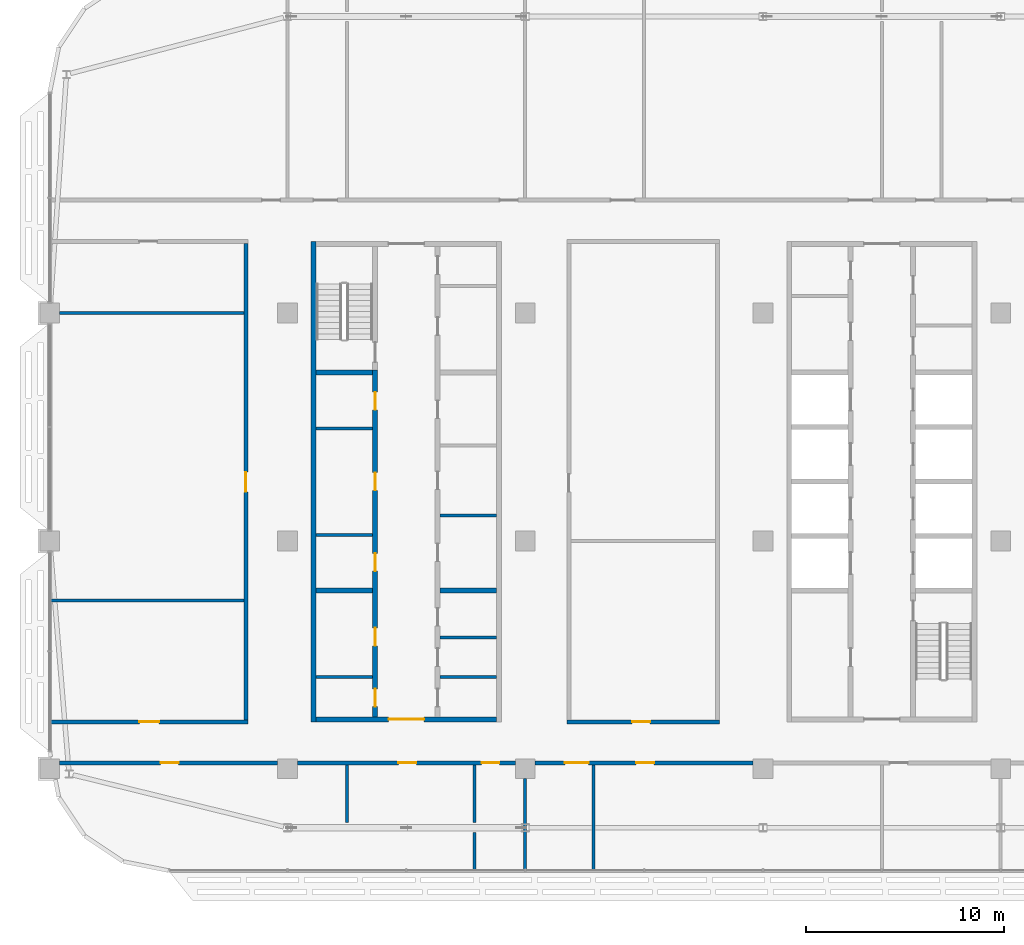
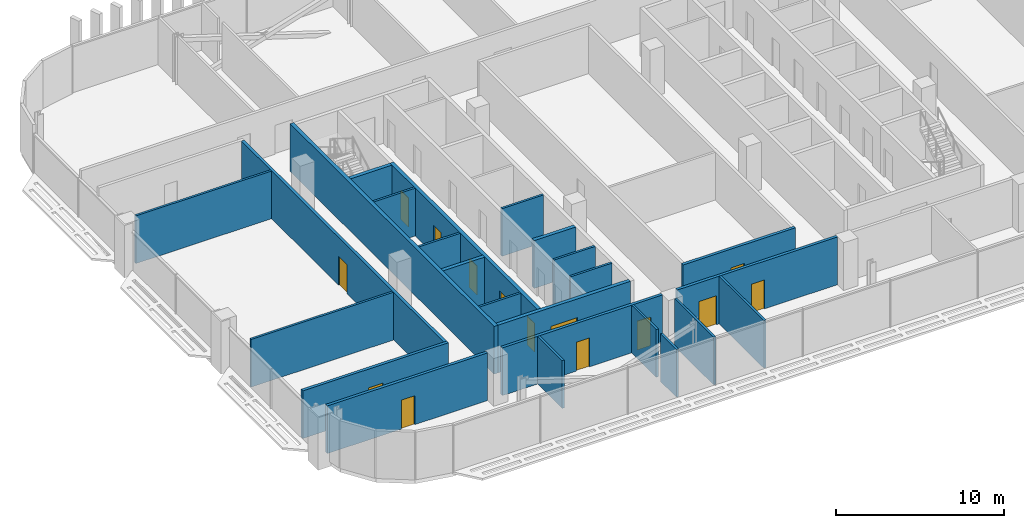
# One storey, part 17 of 32: 25 walls, 14 doors, 14 openings.
"""IFC4 building model written with IfcOpenShell, lengths in metres."""

import ifcopenshell
import ifcopenshell.guid

model = None  # the IFC model being written
_history = None  # IfcOwnerHistory: only IFC2X3 demands one
_inside = {}  # id of a spatial element -> (the spatial element, [elements in it])
_under = {}  # id of a project, library or spatial element -> (it, [spatial elements below it])
_declared = {}  # id of a project -> (the project, [libraries it declares])
_typed = {}  # id of a type object -> (the type object, [elements of that type])
_made_of = {}  # id of a material, layer set ... -> (it, [elements and type objects made of it])


def new_model(schema):
    """Start an empty IFC model of exactly this schema.

    Asked for "IFC4X3", IfcOpenShell would pick the latest addendum, in which some entities
    have other attributes; the version numbers below select the first issue.
    IFC2X3 requires an IfcOwnerHistory on every rooted entity: one is made here for all.
    """
    global model, _history
    if schema == "IFC4X3":
        model = ifcopenshell.file(schema_version=(4, 3, 0, 0))
    else:
        model = ifcopenshell.file(schema=schema)
    _inside.clear()
    _under.clear()
    _declared.clear()
    _typed.clear()
    _made_of.clear()
    _history = None
    if model.schema == "IFC2X3":
        org = make("IfcOrganization", Name="unknown")
        user = make(
            "IfcPersonAndOrganization",
            ThePerson=make("IfcPerson", FamilyName="unknown"),
            TheOrganization=org,
        )
        app = make(
            "IfcApplication",
            ApplicationDeveloper=org,
            Version="unknown",
            ApplicationFullName="unknown",
            ApplicationIdentifier="unknown",
        )
        _history = make(
            "IfcOwnerHistory",
            OwningUser=user,
            OwningApplication=app,
            ChangeAction="ADDED",
            CreationDate=0,
        )
    return model


def make(cls, **values):
    """One entity of the class cls with the attributes given. An attribute that is None is left unset."""
    return model.create_entity(
        cls, **{name: value for name, value in values.items() if value is not None}
    )


def rooted(cls, **values):
    """An entity with a GlobalId (a new one), such as an element, a storey or a relation."""
    return make(cls, GlobalId=ifcopenshell.guid.new(), OwnerHistory=_history, **values)


def si_unit(unit_type, name, prefix=None):
    """IfcSIUnit, for example si_unit("LENGTHUNIT", "METRE", prefix="MILLI")."""
    return make("IfcSIUnit", UnitType=unit_type, Prefix=prefix, Name=name)


def assignment(units):
    """IfcUnitAssignment: the units of a project."""
    return None if units is None else make("IfcUnitAssignment", Units=units)


def point(xyz):
    """IfcCartesianPoint."""
    return None if xyz is None else make("IfcCartesianPoint", Coordinates=xyz)


def direction(xyz):
    """IfcDirection."""
    return None if xyz is None else make("IfcDirection", DirectionRatios=xyz)


def frame(location, z_axis=None, x_axis=None):
    """IfcAxis2Placement3D, a coordinate frame: its origin and axes. An axis left out is left unset."""
    return make(
        "IfcAxis2Placement3D",
        Location=point(location),
        Axis=direction(z_axis),
        RefDirection=direction(x_axis),
    )


def frame_2d(location, x_axis=None):
    """IfcAxis2Placement2D, a coordinate frame in the plane: its origin and x axis."""
    return make(
        "IfcAxis2Placement2D", Location=point(location), RefDirection=direction(x_axis)
    )


def origin():
    """The frame at (0, 0, 0) with its axes left unset."""
    return frame((0.0, 0.0, 0.0))


def place(relative_to, where):
    """IfcLocalPlacement: puts the frame where relative to a parent placement (None: the world)."""
    return make(
        "IfcLocalPlacement", PlacementRelTo=relative_to, RelativePlacement=where
    )


def context(
    kind, dimensions, precision=None, world=None, true_north=None, identifier=None
):
    """IfcGeometricRepresentationContext, for example the 3D "Model" context."""
    return make(
        "IfcGeometricRepresentationContext",
        ContextIdentifier=identifier,
        ContextType=kind,
        CoordinateSpaceDimension=dimensions,
        Precision=precision,
        WorldCoordinateSystem=world,
        TrueNorth=true_north,
    )


def subcontext(parent, identifier, kind, view, scale=None):
    """IfcGeometricRepresentationSubContext, for example "Body" below "Model"."""
    return make(
        "IfcGeometricRepresentationSubContext",
        ContextIdentifier=identifier,
        ContextType=kind,
        ParentContext=parent,
        TargetScale=scale,
        TargetView=view,
    )


def project(units=None, contexts=None):
    """IfcProject with its units and contexts."""
    return rooted(
        "IfcProject",
        Name="project",
        RepresentationContexts=contexts,
        UnitsInContext=assignment(units),
    )


def spatial(cls, under=None, at=None, **own):
    """A site, building, storey or space (cls), placed at a placement, below another one or the project."""
    s = rooted(cls, ObjectPlacement=at, **own)
    if under is not None:
        _under.setdefault(under.id(), (under, []))[1].append(s)
    return s


def profile(cls, at=None, kind="AREA", **sizes):
    """A parametric profile (cls). Its sizes go by their IFC names, for example OverallWidth=200.0."""
    return make(cls, ProfileType=kind, Position=at, **sizes)


def rectangle(**sizes):
    """IfcRectangleProfileDef."""
    return profile("IfcRectangleProfileDef", **sizes)


def extrude(swept, where, along, depth):
    """IfcExtrudedAreaSolid: the profile swept, set in the frame where, extruded along a direction by depth."""
    return make(
        "IfcExtrudedAreaSolid",
        SweptArea=swept,
        Position=where,
        ExtrudedDirection=direction(along),
        Depth=depth,
    )


def shape(context_of_items, identifier, shape_type, items):
    """IfcShapeRepresentation: the items that make up one representation, for example the "Body"."""
    return make(
        "IfcShapeRepresentation",
        ContextOfItems=context_of_items,
        RepresentationIdentifier=identifier,
        RepresentationType=shape_type,
        Items=items,
    )


def material(Name=None, Category=None):
    """IfcMaterial."""
    return make("IfcMaterial", Name=Name, Category=Category)


def layer(
    of_material, thickness, ventilated=None, Name=None, Category=None, Priority=None
):
    """IfcMaterialLayer: one layer of a wall or slab, of a material (None: an air gap)."""
    return make(
        "IfcMaterialLayer",
        Material=of_material,
        LayerThickness=thickness,
        IsVentilated=ventilated,
        Name=Name,
        Category=Category,
        Priority=Priority,
    )


def layer_set(layers, Name=None):
    """IfcMaterialLayerSet."""
    return make("IfcMaterialLayerSet", MaterialLayers=layers, LayerSetName=Name)


def made_of(thing, what):
    """Note that an element or type object is made of a material, layer set ...; save() writes the relation."""
    if what is not None:
        _made_of.setdefault(what.id(), (what, []))[1].append(thing)
    return thing


def type_object(cls, material=None, **own):
    """A type object (cls), such as IfcWallType, which elements share."""
    return made_of(rooted(cls, **own), material)


def element(
    cls,
    number,
    at=None,
    inside=None,
    cuts=None,
    type_object=None,
    material=None,
    context=None,
    identifier="Body",
    shape_type=None,
    held_by="IfcProductDefinitionShape",
    body=None,
    shapes=None,
    **own,
):
    """One element of the class cls, such as IfcWall. Its Tag is "e" and its number.

    at: its placement. inside: the storey or other place that contains it. cuts: it is an
    opening in that element (IfcRelVoidsElement). A single representation is given by context,
    identifier, shape_type and body (its items); several are given by shapes. held_by: the class
    of the entity that holds the representations. save() writes the other relations.
    """
    e = rooted(cls, Tag="e%d" % number, ObjectPlacement=at, **own)
    if body is not None:
        shapes = [shape(context, identifier, shape_type, body)]
    if shapes is not None:
        e.Representation = make(held_by, Representations=shapes)
    if inside is not None:
        _inside.setdefault(inside.id(), (inside, []))[1].append(e)
    if cuts is not None:
        rooted(
            "IfcRelVoidsElement", RelatingBuildingElement=cuts, RelatedOpeningElement=e
        )
    if type_object is not None:
        _typed.setdefault(type_object.id(), (type_object, []))[1].append(e)
    return made_of(e, material)


def fill(opening, filler):
    """IfcRelFillsElement: the door or window that sits in an opening."""
    return rooted(
        "IfcRelFillsElement",
        RelatingOpeningElement=opening,
        RelatedBuildingElement=filler,
    )


def aggregate(whole, parts):
    """IfcRelAggregates: a whole, such as a stair, and the parts it consists of."""
    return rooted("IfcRelAggregates", RelatingObject=whole, RelatedObjects=parts)


def save(model, path):
    """Write the relations noted so far, then the file.

    IfcRelAggregates (storeys below a building ...), IfcRelContainedInSpatialStructure (elements
    in a storey), IfcRelDefinesByType, IfcRelAssociatesMaterial and IfcRelDeclares: one each for
    every whole, place, type object, material and project.
    """
    for whole, parts in _under.values():
        aggregate(whole, parts)
    for where, things in _inside.values():
        rooted(
            "IfcRelContainedInSpatialStructure",
            RelatedElements=things,
            RelatingStructure=where,
        )
    for kind, things in _typed.values():
        rooted("IfcRelDefinesByType", RelatedObjects=things, RelatingType=kind)
    for what, things in _made_of.values():
        rooted("IfcRelAssociatesMaterial", RelatedObjects=things, RelatingMaterial=what)
    for by, libraries in _declared.values():
        rooted("IfcRelDeclares", RelatingContext=by, RelatedDefinitions=libraries)
    model.write(path)


model = new_model("IFC4")

# Units and contexts
model_context = context("Model", 3, precision=1e-05, world=origin(), true_north=direction((0.0, 1.0)))
body_context = subcontext(model_context, "Body", "Model", "MODEL_VIEW")
ifc_project = project(units=[si_unit("LENGTHUNIT", "METRE"), si_unit("AREAUNIT", "SQUARE_METRE"), si_unit("VOLUMEUNIT", "CUBIC_METRE"), si_unit("PLANEANGLEUNIT", "RADIAN"), si_unit("MASSUNIT", "GRAM", prefix="KILO")], contexts=[model_context])

# Site, building, storey
site_placement = place(None, origin())
site = spatial("IfcSite", under=ifc_project, at=site_placement, CompositionType="ELEMENT")
building_placement = place(site_placement, origin())
building = spatial("IfcBuilding", under=site, at=building_placement, Name="Mahtab Terrace Research Tower", CompositionType="ELEMENT")
storey_placement = place(building_placement, frame((0.0, 0.0, 232.39990234375)))
storey = spatial("IfcBuildingStorey", under=building, at=storey_placement, Name="L56", CompositionType="ELEMENT", Elevation=232.39990234375)

# Walls
ifc_material_1 = material(Name="Gypsum board partition")
ifc_layer_1 = layer(ifc_material_1, 0.14990234375)
ifc_layer_set_1 = layer_set([ifc_layer_1], Name="Core partition 150")
wall_type_1 = type_object("IfcWallType", Name="Core partition 150", PredefinedType="PARTITIONING", material=ifc_layer_set_1)
for number, where, z_axis, x_axis, name in (
    (1, (-28.550048828125, 0.3125, 0.0), (0.0, 0.0, 1.0), (1.0, 0.0, 0.0), "Core wall A pWL-269"),
    (2, (-28.550048828125, 5.6875, 0.0), (0.0, 0.0, 1.0), (1.0, 0.0, 0.0), "Core wall A pWL269"),
    (3, (-22.300048828125, 1.280029296875, 0.0), (0.0, 0.0, 1.0), (1.0, 0.0, 0.0), "Core wall A pEL-172"),
    (4, (-28.550048828125, -6.875, 0.0), (0.0, 0.0, 1.0), (1.0, 0.0, 0.0), "Core wall A pWS-988"),
    (5, (-22.300048828125, -6.875, 0.0), (0.0, 0.0, 1.0), (1.0, 0.0, 0.0), "Core wall A pES-988"),
    (6, (-22.300048828125, -4.875, 0.0), (0.0, 0.0, 1.0), (1.0, 0.0, 0.0), "Core wall A pES-788"),
):
    element("IfcWall", number, at=place(storey_placement, frame(where, z_axis=z_axis, x_axis=x_axis)), inside=storey, type_object=wall_type_1, Name=name, PredefinedType="PARTITIONING", context=body_context, shape_type="SweptSolid", body=[
        extrude(rectangle(XDim=2.85009765625, YDim=0.14990234375, at=frame_2d((1.425048828125, 0.0))), origin(), (0.0, 0.0, 1.0), 3.460205078125),
    ])
ifc_material_2 = material(Name="Concrete C70/85", Category="concrete")
ifc_layer_2 = layer(ifc_material_2, 0.25)
ifc_layer_set_2 = layer_set([ifc_layer_2], Name="Core wall 250")
wall_type_2 = type_object("IfcWallType", Name="Core wall 250", PredefinedType="SOLIDWALL", material=ifc_layer_set_2)
wall_1_placement = place(storey_placement, frame((-28.675048828125, 15.125, 0.0), z_axis=(0.0, 0.0, 1.0), x_axis=(0.0, -1.0, 0.0)))
element("IfcWall", 7, at=wall_1_placement, inside=storey, type_object=wall_type_2, Name="Core wall A outerW", PredefinedType="SOLIDWALL", context=body_context, shape_type="SweptSolid", body=[
    extrude(rectangle(XDim=24.25, YDim=0.25, at=frame_2d((12.125, 0.0))), origin(), (0.0, 0.0, 1.0), 3.460205078125),
])

# Wall, opening, door
wall_2_placement = place(storey_placement, frame((-19.449951171875, -9.0, 0.0), z_axis=(0.0, 0.0, 1.0), x_axis=(-1.0, 0.0, 0.0)))
wall_2 = element("IfcWall", 8, at=wall_2_placement, inside=storey, type_object=wall_type_2, Name="Core wall A endS", PredefinedType="SOLIDWALL", context=body_context, shape_type="SweptSolid", body=[
    extrude(rectangle(XDim=9.10009765625, YDim=0.25, at=frame_2d((4.550048828125, 0.0))), origin(), (0.0, 0.0, 1.0), 3.460205078125),
])
opening_1_placement = place(wall_2_placement, frame((3.64990234375, 0.0, 0.0)))
opening_1 = element("IfcOpeningElement", 9, at=opening_1_placement, cuts=wall_2, Name="Opening A-S1", PredefinedType="OPENING", context=body_context, shape_type="SweptSolid", body=[
    extrude(rectangle(XDim=1.800048828125, YDim=2.10009765625, at=frame_2d((0.89990234375, 1.050048828125))), frame((0.0, 0.135009765625, 0.0), z_axis=(0.0, -1.0, 0.0), x_axis=(1.0, 0.0, 0.0)), (0.0, 0.0, 1.0), 0.27001953125),
])
ifc_material_3 = material(Name="Steel fire door", Category="steel")
door_type_1 = type_object("IfcDoorType", Name="Lobby double door 1800x2100 1 HR", OperationType="DOUBLE_DOOR_SINGLE_SWING", PredefinedType="DOOR", material=ifc_material_3)
door_1_placement = place(opening_1_placement, origin())
door_1 = element("IfcDoor", 10, at=door_1_placement, inside=storey, type_object=door_type_1, Name="Core entrance door A S", OperationType="DOUBLE_DOOR_SINGLE_SWING", OverallHeight=2.10009765625, OverallWidth=1.800048828125, PredefinedType="DOOR", context=body_context, shape_type="SweptSolid", body=[
    extrude(rectangle(XDim=1.800048828125, YDim=2.10009765625, at=frame_2d((0.89990234375, 1.050048828125))), frame((0.0, 0.02490234375, 0.0), z_axis=(0.0, -1.0, 0.0), x_axis=(1.0, 0.0, 0.0)), (0.0, 0.0, 1.0), 0.050048828125),
])
fill(opening_1, door_1)

# Wall, openings, doors
wall_3_placement = place(storey_placement, frame((-25.574951171875, -8.875, 0.0), z_axis=(0.0, 0.0, 1.0), x_axis=(0.0, 1.0, 0.0)))
wall_3 = element("IfcWall", 11, at=wall_3_placement, inside=storey, type_object=wall_type_2, Name="Core wall A innerWSL", PredefinedType="SOLIDWALL", context=body_context, shape_type="SweptSolid", body=[
    extrude(rectangle(XDim=17.5, YDim=0.25, at=frame_2d((8.75, 0.0))), origin(), (0.0, 0.0, 1.0), 3.460205078125),
])
opening_2_placement = place(wall_3_placement, frame((7.356201171875, 0.0, 0.0)))
opening_2 = element("IfcOpeningElement", 12, at=opening_2_placement, cuts=wall_3, Name="Opening A-R1", PredefinedType="OPENING", context=body_context, shape_type="SweptSolid", body=[
    extrude(rectangle(XDim=0.89990234375, YDim=2.10009765625, at=frame_2d((0.449951171875, 1.050048828125))), frame((0.0, 0.135009765625, 0.0), z_axis=(0.0, -1.0, 0.0), x_axis=(1.0, 0.0, 0.0)), (0.0, 0.0, 1.0), 0.27001953125),
])
opening_3_placement = place(wall_3_placement, frame((11.425048828125, 0.0, 0.0)))
opening_3 = element("IfcOpeningElement", 13, at=opening_3_placement, cuts=wall_3, Name="Opening A-R2", PredefinedType="OPENING", context=body_context, shape_type="SweptSolid", body=[
    extrude(rectangle(XDim=0.89990234375, YDim=2.10009765625, at=frame_2d((0.449951171875, 1.050048828125))), frame((0.0, 0.135009765625, 0.0), z_axis=(0.0, -1.0, 0.0), x_axis=(1.0, 0.0, 0.0)), (0.0, 0.0, 1.0), 0.27001953125),
])
opening_4_placement = place(wall_3_placement, frame((15.493896484375, 0.0, 0.0)))
opening_4 = element("IfcOpeningElement", 14, at=opening_4_placement, cuts=wall_3, Name="Opening A-R3", PredefinedType="OPENING", context=body_context, shape_type="SweptSolid", body=[
    extrude(rectangle(XDim=0.89990234375, YDim=2.10009765625, at=frame_2d((0.449951171875, 1.050048828125))), frame((0.0, 0.135009765625, 0.0), z_axis=(0.0, -1.0, 0.0), x_axis=(1.0, 0.0, 0.0)), (0.0, 0.0, 1.0), 0.27001953125),
])
opening_5_placement = place(wall_3_placement, frame((0.512451171875, 0.0, 0.0)))
opening_5 = element("IfcOpeningElement", 15, at=opening_5_placement, cuts=wall_3, Name="Opening A-R7", PredefinedType="OPENING", context=body_context, shape_type="SweptSolid", body=[
    extrude(rectangle(XDim=0.89990234375, YDim=2.10009765625, at=frame_2d((0.449951171875, 1.050048828125))), frame((0.0, 0.135009765625, 0.0), z_axis=(0.0, -1.0, 0.0), x_axis=(1.0, 0.0, 0.0)), (0.0, 0.0, 1.0), 0.27001953125),
])
opening_6_placement = place(wall_3_placement, frame((3.58740234375, 0.0, 0.0)))
opening_6 = element("IfcOpeningElement", 16, at=opening_6_placement, cuts=wall_3, Name="Opening A-R8", PredefinedType="OPENING", context=body_context, shape_type="SweptSolid", body=[
    extrude(rectangle(XDim=0.89990234375, YDim=2.10009765625, at=frame_2d((0.449951171875, 1.050048828125))), frame((0.0, 0.135009765625, 0.0), z_axis=(0.0, -1.0, 0.0), x_axis=(1.0, 0.0, 0.0)), (0.0, 0.0, 1.0), 0.27001953125),
])
door_type_2 = type_object("IfcDoorType", Name="Room door 900x2100 1 HR", OperationType="NOTDEFINED", PredefinedType="DOOR", material=ifc_material_3)
door_2_placement = place(opening_2_placement, origin())
door_2 = element("IfcDoor", 17, at=door_2_placement, inside=storey, type_object=door_type_2, Name="Comms room door", OperationType="SINGLE_SWING_LEFT", OverallHeight=2.10009765625, OverallWidth=0.89990234375, PredefinedType="DOOR", context=body_context, shape_type="SweptSolid", body=[
    extrude(rectangle(XDim=0.89990234375, YDim=2.10009765625, at=frame_2d((0.449951171875, 1.050048828125))), frame((0.0, 0.02490234375, 0.0), z_axis=(0.0, -1.0, 0.0), x_axis=(1.0, 0.0, 0.0)), (0.0, 0.0, 1.0), 0.050048828125),
])
fill(opening_2, door_2)
door_3_placement = place(opening_3_placement, origin())
door_3 = element("IfcDoor", 18, at=door_3_placement, inside=storey, type_object=door_type_2, Name="Meeting alcove door", OperationType="SINGLE_SWING_RIGHT", OverallHeight=2.10009765625, OverallWidth=0.89990234375, PredefinedType="DOOR", context=body_context, shape_type="SweptSolid", body=[
    extrude(rectangle(XDim=0.89990234375, YDim=2.10009765625, at=frame_2d((0.449951171875, 1.050048828125))), frame((0.0, 0.02490234375, 0.0), z_axis=(0.0, -1.0, 0.0), x_axis=(1.0, 0.0, 0.0)), (0.0, 0.0, 1.0), 0.050048828125),
])
fill(opening_3, door_3)
door_4_placement = place(opening_4_placement, origin())
door_4 = element("IfcDoor", 19, at=door_4_placement, inside=storey, type_object=door_type_2, Name="Linen store door", OperationType="SINGLE_SWING_LEFT", OverallHeight=2.10009765625, OverallWidth=0.89990234375, PredefinedType="DOOR", context=body_context, shape_type="SweptSolid", body=[
    extrude(rectangle(XDim=0.89990234375, YDim=2.10009765625, at=frame_2d((0.449951171875, 1.050048828125))), frame((0.0, 0.02490234375, 0.0), z_axis=(0.0, -1.0, 0.0), x_axis=(1.0, 0.0, 0.0)), (0.0, 0.0, 1.0), 0.050048828125),
])
fill(opening_4, door_4)
door_5_placement = place(opening_5_placement, origin())
door_5 = element("IfcDoor", 20, at=door_5_placement, inside=storey, type_object=door_type_2, Name="Accessible WC door", OperationType="SINGLE_SWING_LEFT", OverallHeight=2.10009765625, OverallWidth=0.89990234375, PredefinedType="DOOR", context=body_context, shape_type="SweptSolid", body=[
    extrude(rectangle(XDim=0.89990234375, YDim=2.10009765625, at=frame_2d((0.449951171875, 1.050048828125))), frame((0.0, 0.02490234375, 0.0), z_axis=(0.0, -1.0, 0.0), x_axis=(1.0, 0.0, 0.0)), (0.0, 0.0, 1.0), 0.050048828125),
])
fill(opening_5, door_5)
door_6_placement = place(opening_6_placement, origin())
door_6 = element("IfcDoor", 21, at=door_6_placement, inside=storey, type_object=door_type_2, Name="WC block door", OperationType="SINGLE_SWING_RIGHT", OverallHeight=2.10009765625, OverallWidth=0.89990234375, PredefinedType="DOOR", context=body_context, shape_type="SweptSolid", body=[
    extrude(rectangle(XDim=0.89990234375, YDim=2.10009765625, at=frame_2d((0.449951171875, 1.050048828125))), frame((0.0, 0.02490234375, 0.0), z_axis=(0.0, -1.0, 0.0), x_axis=(1.0, 0.0, 0.0)), (0.0, 0.0, 1.0), 0.050048828125),
])
fill(opening_6, door_6)

# Walls
for number, where, z_axis, x_axis, name in (
    (22, (-28.550048828125, -2.5, 0.0), (0.0, 0.0, 1.0), (1.0, 0.0, 0.0), "Core wall A divW0"),
    (23, (-28.550048828125, 8.5, 0.0), (0.0, 0.0, 1.0), (1.0, 0.0, 0.0), "Core wall A divW4"),
    (24, (-22.300048828125, -2.5, 0.0), (0.0, 0.0, 1.0), (1.0, 0.0, 0.0), "Core wall A divE0"),
):
    element("IfcWall", number, at=place(storey_placement, frame(where, z_axis=z_axis, x_axis=x_axis)), inside=storey, type_object=wall_type_2, Name=name, PredefinedType="SOLIDWALL", context=body_context, shape_type="SweptSolid", body=[
        extrude(rectangle(XDim=2.85009765625, YDim=0.25, at=frame_2d((1.425048828125, 0.0))), origin(), (0.0, 0.0, 1.0), 3.460205078125),
    ])

# Wall, opening, door
ifc_material_4 = material(Name="Gypsum board corridor wall on steel studs", Category="steel")
ifc_layer_3 = layer(ifc_material_4, 0.199951171875)
ifc_layer_set_3 = layer_set([ifc_layer_3], Name="WALL CORRIDOR 200")
wall_type_3 = type_object("IfcWallType", Name="WALL CORRIDOR 200", PredefinedType="PARTITIONING", material=ifc_layer_set_3)
wall_4_placement = place(storey_placement, frame((-41.5, -11.199951171875, 0.0), z_axis=(0.0, 0.0, 1.0), x_axis=(1.0, 0.0, 0.0)))
wall_4 = element("IfcWall", 25, at=wall_4_placement, inside=storey, type_object=wall_type_3, Name="L56-W001", PredefinedType="PARTITIONING", context=body_context, shape_type="SweptSolid", body=[
    extrude(rectangle(XDim=11.0, YDim=0.199951171875, at=frame_2d((5.5, 0.0))), origin(), (0.0, 0.0, 1.0), 3.460205078125),
])
opening_7_placement = place(wall_4_placement, frame((5.10009765625, 0.0, 0.0)))
opening_7 = element("IfcOpeningElement", 26, at=opening_7_placement, cuts=wall_4, Name="Opening L56-101", PredefinedType="OPENING", context=body_context, shape_type="SweptSolid", body=[
    extrude(rectangle(XDim=0.89990234375, YDim=2.10009765625, at=frame_2d((0.449951171875, 1.050048828125))), frame((0.0, 0.10986328125, 0.0), z_axis=(0.0, -1.0, 0.0), x_axis=(1.0, 0.0, 0.0)), (0.0, 0.0, 1.0), 0.219970703125),
])
ifc_material_5 = material(Name="Timber door leaf in steel frame", Category="steel")
door_type_3 = type_object("IfcDoorType", Name="DOOR 0900X2100 FD30S", OperationType="SINGLE_SWING_LEFT", PredefinedType="DOOR", material=ifc_material_5)
door_7_placement = place(opening_7_placement, origin())
door_7 = element("IfcDoor", 27, at=door_7_placement, inside=storey, type_object=door_type_3, Name="Door L56-101", OperationType="SINGLE_SWING_LEFT", OverallHeight=2.10009765625, OverallWidth=0.89990234375, PredefinedType="DOOR", context=body_context, shape_type="SweptSolid", body=[
    extrude(rectangle(XDim=0.89990234375, YDim=2.10009765625, at=frame_2d((0.449951171875, 1.050048828125))), frame((0.0, 0.02490234375, 0.0), z_axis=(0.0, -1.0, 0.0), x_axis=(1.0, 0.0, 0.0)), (0.0, 0.0, 1.0), 0.050048828125),
])
fill(opening_7, door_7)

# Wall, openings, doors
wall_5_placement = place(storey_placement, frame((-29.5, -11.199951171875, 0.0), z_axis=(0.0, 0.0, 1.0), x_axis=(1.0, 0.0, 0.0)))
wall_5 = element("IfcWall", 28, at=wall_5_placement, inside=storey, type_object=wall_type_3, Name="L56-W002", PredefinedType="PARTITIONING", context=body_context, shape_type="SweptSolid", body=[
    extrude(rectangle(XDim=11.0, YDim=0.199951171875, at=frame_2d((5.5, 0.0))), origin(), (0.0, 0.0, 1.0), 3.460205078125),
])
opening_8_placement = place(wall_5_placement, frame((5.10009765625, 0.0, 0.0)))
opening_8 = element("IfcOpeningElement", 29, at=opening_8_placement, cuts=wall_5, Name="Opening L56-102", PredefinedType="OPENING", context=body_context, shape_type="SweptSolid", body=[
    extrude(rectangle(XDim=0.89990234375, YDim=2.10009765625, at=frame_2d((0.449951171875, 1.050048828125))), frame((0.0, 0.10986328125, 0.0), z_axis=(0.0, -1.0, 0.0), x_axis=(1.0, 0.0, 0.0)), (0.0, 0.0, 1.0), 0.219970703125),
])
opening_9_placement = place(wall_5_placement, frame((9.300048828125, 0.0, 0.0)))
opening_9 = element("IfcOpeningElement", 30, at=opening_9_placement, cuts=wall_5, Name="Opening L56-103", PredefinedType="OPENING", context=body_context, shape_type="SweptSolid", body=[
    extrude(rectangle(XDim=0.89990234375, YDim=2.10009765625, at=frame_2d((0.449951171875, 1.050048828125))), frame((0.0, 0.10986328125, 0.0), z_axis=(0.0, -1.0, 0.0), x_axis=(1.0, 0.0, 0.0)), (0.0, 0.0, 1.0), 0.219970703125),
])
door_8_placement = place(opening_8_placement, origin())
door_8 = element("IfcDoor", 31, at=door_8_placement, inside=storey, type_object=door_type_3, Name="Door L56-102", OperationType="SINGLE_SWING_LEFT", OverallHeight=2.10009765625, OverallWidth=0.89990234375, PredefinedType="DOOR", context=body_context, shape_type="SweptSolid", body=[
    extrude(rectangle(XDim=0.89990234375, YDim=2.10009765625, at=frame_2d((0.449951171875, 1.050048828125))), frame((0.0, 0.02490234375, 0.0), z_axis=(0.0, -1.0, 0.0), x_axis=(1.0, 0.0, 0.0)), (0.0, 0.0, 1.0), 0.050048828125),
])
fill(opening_8, door_8)
door_9_placement = place(opening_9_placement, origin())
door_9 = element("IfcDoor", 32, at=door_9_placement, inside=storey, type_object=door_type_3, Name="Door L56-103", OperationType="SINGLE_SWING_LEFT", OverallHeight=2.10009765625, OverallWidth=0.89990234375, PredefinedType="DOOR", context=body_context, shape_type="SweptSolid", body=[
    extrude(rectangle(XDim=0.89990234375, YDim=2.10009765625, at=frame_2d((0.449951171875, 1.050048828125))), frame((0.0, 0.02490234375, 0.0), z_axis=(0.0, -1.0, 0.0), x_axis=(1.0, 0.0, 0.0)), (0.0, 0.0, 1.0), 0.050048828125),
])
fill(opening_9, door_9)

wall_6_placement = place(storey_placement, frame((-17.5, -11.199951171875, 0.0), z_axis=(0.0, 0.0, 1.0), x_axis=(1.0, 0.0, 0.0)))
wall_6 = element("IfcWall", 33, at=wall_6_placement, inside=storey, type_object=wall_type_3, Name="L56-W003", PredefinedType="PARTITIONING", context=body_context, shape_type="SweptSolid", body=[
    extrude(rectangle(XDim=11.0, YDim=0.199951171875, at=frame_2d((5.5, 0.0))), origin(), (0.0, 0.0, 1.0), 3.460205078125),
])
opening_10_placement = place(wall_6_placement, frame((1.5, 0.0, 0.0)))
opening_10 = element("IfcOpeningElement", 34, at=opening_10_placement, cuts=wall_6, Name="Opening L56-104", PredefinedType="OPENING", context=body_context, shape_type="SweptSolid", body=[
    extrude(rectangle(XDim=1.199951171875, YDim=2.10009765625, at=frame_2d((0.60009765625, 1.050048828125))), frame((0.0, 0.10986328125, 0.0), z_axis=(0.0, -1.0, 0.0), x_axis=(1.0, 0.0, 0.0)), (0.0, 0.0, 1.0), 0.219970703125),
])
opening_11_placement = place(wall_6_placement, frame((5.10009765625, 0.0, 0.0)))
opening_11 = element("IfcOpeningElement", 35, at=opening_11_placement, cuts=wall_6, Name="Opening L56-105", PredefinedType="OPENING", context=body_context, shape_type="SweptSolid", body=[
    extrude(rectangle(XDim=0.89990234375, YDim=2.10009765625, at=frame_2d((0.449951171875, 1.050048828125))), frame((0.0, 0.10986328125, 0.0), z_axis=(0.0, -1.0, 0.0), x_axis=(1.0, 0.0, 0.0)), (0.0, 0.0, 1.0), 0.219970703125),
])
door_10_placement = place(opening_11_placement, origin())
door_10 = element("IfcDoor", 36, at=door_10_placement, inside=storey, type_object=door_type_3, Name="Door L56-105", OperationType="SINGLE_SWING_LEFT", OverallHeight=2.10009765625, OverallWidth=0.89990234375, PredefinedType="DOOR", context=body_context, shape_type="SweptSolid", body=[
    extrude(rectangle(XDim=0.89990234375, YDim=2.10009765625, at=frame_2d((0.449951171875, 1.050048828125))), frame((0.0, 0.02490234375, 0.0), z_axis=(0.0, -1.0, 0.0), x_axis=(1.0, 0.0, 0.0)), (0.0, 0.0, 1.0), 0.050048828125),
])
fill(opening_11, door_10)
door_type_4 = type_object("IfcDoorType", Name="DOOR 1200X2100 FD30S", OperationType="SINGLE_SWING_LEFT", PredefinedType="DOOR", material=ifc_material_5)
door_11_placement = place(opening_10_placement, origin())
door_11 = element("IfcDoor", 37, at=door_11_placement, inside=storey, type_object=door_type_4, Name="Door L56-104", OperationType="SINGLE_SWING_RIGHT", OverallHeight=2.10009765625, OverallWidth=1.199951171875, PredefinedType="DOOR", context=body_context, shape_type="SweptSolid", body=[
    extrude(rectangle(XDim=1.199951171875, YDim=2.10009765625, at=frame_2d((0.60009765625, 1.050048828125))), frame((0.0, 0.02490234375, 0.0), z_axis=(0.0, -1.0, 0.0), x_axis=(1.0, 0.0, 0.0)), (0.0, 0.0, 1.0), 0.050048828125),
])
fill(opening_10, door_11)

# Wall, opening, door
wall_7_placement = place(storey_placement, frame((-41.97509765625, -9.125, 0.0), z_axis=(0.0, 0.0, 1.0), x_axis=(1.0, 0.0, 0.0)))
wall_7 = element("IfcWall", 38, at=wall_7_placement, inside=storey, type_object=wall_type_3, Name="L56-W010", PredefinedType="PARTITIONING", context=body_context, shape_type="SweptSolid", body=[
    extrude(rectangle(XDim=9.97509765625, YDim=0.199951171875, at=frame_2d((4.987548828125, 0.0))), origin(), (0.0, 0.0, 1.0), 3.460205078125),
])
opening_12_placement = place(wall_7_placement, frame((4.5, 0.0, 0.0)))
opening_12 = element("IfcOpeningElement", 39, at=opening_12_placement, cuts=wall_7, Name="Opening L56-112", PredefinedType="OPENING", context=body_context, shape_type="SweptSolid", body=[
    extrude(rectangle(XDim=1.0, YDim=2.10009765625, at=frame_2d((0.5, 1.050048828125))), frame((0.0, 0.10986328125, 0.0), z_axis=(0.0, -1.0, 0.0), x_axis=(1.0, 0.0, 0.0)), (0.0, 0.0, 1.0), 0.219970703125),
])
door_type_5 = type_object("IfcDoorType", Name="DOOR 1000X2100 FD30S", OperationType="SINGLE_SWING_LEFT", PredefinedType="DOOR", material=ifc_material_5)
door_12_placement = place(opening_12_placement, origin())
door_12 = element("IfcDoor", 40, at=door_12_placement, inside=storey, type_object=door_type_5, Name="Door L56-112", OperationType="SINGLE_SWING_RIGHT", OverallHeight=2.10009765625, OverallWidth=1.0, PredefinedType="DOOR", context=body_context, shape_type="SweptSolid", body=[
    extrude(rectangle(XDim=1.0, YDim=2.10009765625, at=frame_2d((0.5, 1.050048828125))), frame((0.0, 0.02490234375, 0.0), z_axis=(0.0, -1.0, 0.0), x_axis=(1.0, 0.0, 0.0)), (0.0, 0.0, 1.0), 0.050048828125),
])
fill(opening_12, door_12)

wall_8_placement = place(storey_placement, frame((-15.89990234375, -9.125, 0.0), z_axis=(0.0, 0.0, 1.0), x_axis=(1.0, 0.0, 0.0)))
wall_8 = element("IfcWall", 41, at=wall_8_placement, inside=storey, type_object=wall_type_3, Name="L56-W011", PredefinedType="PARTITIONING", context=body_context, shape_type="SweptSolid", body=[
    extrude(rectangle(XDim=7.699951171875, YDim=0.199951171875, at=frame_2d((3.85009765625, 0.0))), origin(), (0.0, 0.0, 1.0), 3.460205078125),
])
opening_13_placement = place(wall_8_placement, frame((3.300048828125, 0.0, 0.0)))
opening_13 = element("IfcOpeningElement", 42, at=opening_13_placement, cuts=wall_8, Name="Opening L56-114", PredefinedType="OPENING", context=body_context, shape_type="SweptSolid", body=[
    extrude(rectangle(XDim=0.89990234375, YDim=2.10009765625, at=frame_2d((0.449951171875, 1.050048828125))), frame((0.0, 0.10986328125, 0.0), z_axis=(0.0, -1.0, 0.0), x_axis=(1.0, 0.0, 0.0)), (0.0, 0.0, 1.0), 0.219970703125),
])
door_13_placement = place(opening_13_placement, origin())
door_13 = element("IfcDoor", 43, at=door_13_placement, inside=storey, type_object=door_type_3, Name="Door L56-114", OperationType="SINGLE_SWING_LEFT", OverallHeight=2.10009765625, OverallWidth=0.89990234375, PredefinedType="DOOR", context=body_context, shape_type="SweptSolid", body=[
    extrude(rectangle(XDim=0.89990234375, YDim=2.10009765625, at=frame_2d((0.449951171875, 1.050048828125))), frame((0.0, 0.02490234375, 0.0), z_axis=(0.0, -1.0, 0.0), x_axis=(1.0, 0.0, 0.0)), (0.0, 0.0, 1.0), 0.050048828125),
])
fill(opening_13, door_13)

wall_9_placement = place(storey_placement, frame((-32.10009765625, -9.02490234375, 0.0), z_axis=(0.0, 0.0, 1.0), x_axis=(0.0, 1.0, 0.0)))
wall_9 = element("IfcWall", 44, at=wall_9_placement, inside=storey, type_object=wall_type_3, Name="L56-W026", PredefinedType="PARTITIONING", context=body_context, shape_type="SweptSolid", body=[
    extrude(rectangle(XDim=24.0498046875, YDim=0.199951171875, at=frame_2d((12.02490234375, 0.0))), origin(), (0.0, 0.0, 1.0), 3.460205078125),
])
opening_14_placement = place(wall_9_placement, frame((11.5, 0.0, 0.0)))
opening_14 = element("IfcOpeningElement", 45, at=opening_14_placement, cuts=wall_9, Name="Opening L56-116", PredefinedType="OPENING", context=body_context, shape_type="SweptSolid", body=[
    extrude(rectangle(XDim=1.0, YDim=2.10009765625, at=frame_2d((0.5, 1.050048828125))), frame((0.0, 0.10986328125, 0.0), z_axis=(0.0, -1.0, 0.0), x_axis=(1.0, 0.0, 0.0)), (0.0, 0.0, 1.0), 0.219970703125),
])
door_14_placement = place(opening_14_placement, origin())
door_14 = element("IfcDoor", 46, at=door_14_placement, inside=storey, type_object=door_type_5, Name="Door L56-116", OperationType="SINGLE_SWING_LEFT", OverallHeight=2.10009765625, OverallWidth=1.0, PredefinedType="DOOR", context=body_context, shape_type="SweptSolid", body=[
    extrude(rectangle(XDim=1.0, YDim=2.10009765625, at=frame_2d((0.5, 1.050048828125))), frame((0.0, 0.02490234375, 0.0), z_axis=(0.0, -1.0, 0.0), x_axis=(1.0, 0.0, 0.0)), (0.0, 0.0, 1.0), 0.050048828125),
])
fill(opening_14, door_14)

# Walls
ifc_material_6 = material(Name="Gypsum board partition on steel studs", Category="steel")
ifc_layer_4 = layer(ifc_material_6, 0.14990234375)
ifc_layer_set_4 = layer_set([ifc_layer_4], Name="WALL PARTITION 150")
wall_type_4 = type_object("IfcWallType", Name="WALL PARTITION 150", PredefinedType="PARTITIONING", material=ifc_layer_set_4)
wall_10_placement = place(storey_placement, frame((-41.97509765625, -3.0, 0.0), z_axis=(0.0, 0.0, 1.0), x_axis=(1.0, 0.0, 0.0)))
element("IfcWall", 47, at=wall_10_placement, inside=storey, type_object=wall_type_4, Name="L56-W014", PredefinedType="PARTITIONING", context=body_context, shape_type="SweptSolid", body=[
    extrude(rectangle(XDim=9.775146484375, YDim=0.14990234375, at=frame_2d((4.8876953125, 0.0))), origin(), (0.0, 0.0, 1.0), 3.460205078125),
])
wall_11_placement = place(storey_placement, frame((-41.5, 11.5, 0.0), z_axis=(0.0, 0.0, 1.0), x_axis=(1.0, 0.0, 0.0)))
element("IfcWall", 48, at=wall_11_placement, inside=storey, type_object=wall_type_4, Name="L56-W019", PredefinedType="PARTITIONING", context=body_context, shape_type="SweptSolid", body=[
    extrude(rectangle(XDim=9.300048828125, YDim=0.14990234375, at=frame_2d((4.64990234375, 0.0))), origin(), (0.0, 0.0, 1.0), 3.460205078125),
])
wall_12_placement = place(storey_placement, frame((-27.0, -14.220703125, 0.0), z_axis=(0.0, 0.0, 1.0), x_axis=(0.0, 1.0, 0.0)))
element("IfcWall", 49, at=wall_12_placement, inside=storey, type_object=wall_type_4, Name="L56-W028", PredefinedType="PARTITIONING", context=body_context, shape_type="SweptSolid", body=[
    extrude(rectangle(XDim=2.920654296875, YDim=0.14990234375, at=frame_2d((1.46044921875, 0.0))), origin(), (0.0, 0.0, 1.0), 3.460205078125),
])
wall_13_placement = place(storey_placement, frame((-20.550048828125, -16.614013671875, 0.0), z_axis=(0.0, 0.0, 1.0), x_axis=(0.0, 1.0, 0.0)))
element("IfcWall", 50, at=wall_13_placement, inside=storey, type_object=wall_type_4, Name="L56-W031", PredefinedType="PARTITIONING", context=body_context, shape_type="SweptSolid", body=[
    extrude(rectangle(XDim=1.888671875, YDim=0.14990234375, at=frame_2d((0.9443359375, 0.0))), origin(), (0.0, 0.0, 1.0), 3.460205078125),
])
wall_14_placement = place(storey_placement, frame((-20.550048828125, -14.220703125, 0.0), z_axis=(0.0, 0.0, 1.0), x_axis=(0.0, 1.0, 0.0)))
element("IfcWall", 51, at=wall_14_placement, inside=storey, type_object=wall_type_4, Name="L56-W032", PredefinedType="PARTITIONING", context=body_context, shape_type="SweptSolid", body=[
    extrude(rectangle(XDim=2.920654296875, YDim=0.14990234375, at=frame_2d((1.46044921875, 0.0))), origin(), (0.0, 0.0, 1.0), 3.460205078125),
])
wall_15_placement = place(storey_placement, frame((-18.0, -16.614013671875, 0.0), z_axis=(0.0, 0.0, 1.0), x_axis=(0.0, 1.0, 0.0)))
element("IfcWall", 52, at=wall_15_placement, inside=storey, type_object=wall_type_4, Name="L56-W033", PredefinedType="PARTITIONING", context=body_context, shape_type="SweptSolid", body=[
    extrude(rectangle(XDim=4.614013671875, YDim=0.14990234375, at=frame_2d((2.30712890625, 0.0))), origin(), (0.0, 0.0, 1.0), 3.460205078125),
])
wall_16_placement = place(storey_placement, frame((-14.550048828125, -16.614013671875, 0.0), z_axis=(0.0, 0.0, 1.0), x_axis=(0.0, 1.0, 0.0)))
element("IfcWall", 53, at=wall_16_placement, inside=storey, type_object=wall_type_4, Name="L56-W036", PredefinedType="PARTITIONING", context=body_context, shape_type="SweptSolid", body=[
    extrude(rectangle(XDim=5.31396484375, YDim=0.14990234375, at=frame_2d((2.656982421875, 0.0))), origin(), (0.0, 0.0, 1.0), 3.460205078125),
])

save(model, "model.ifc")
